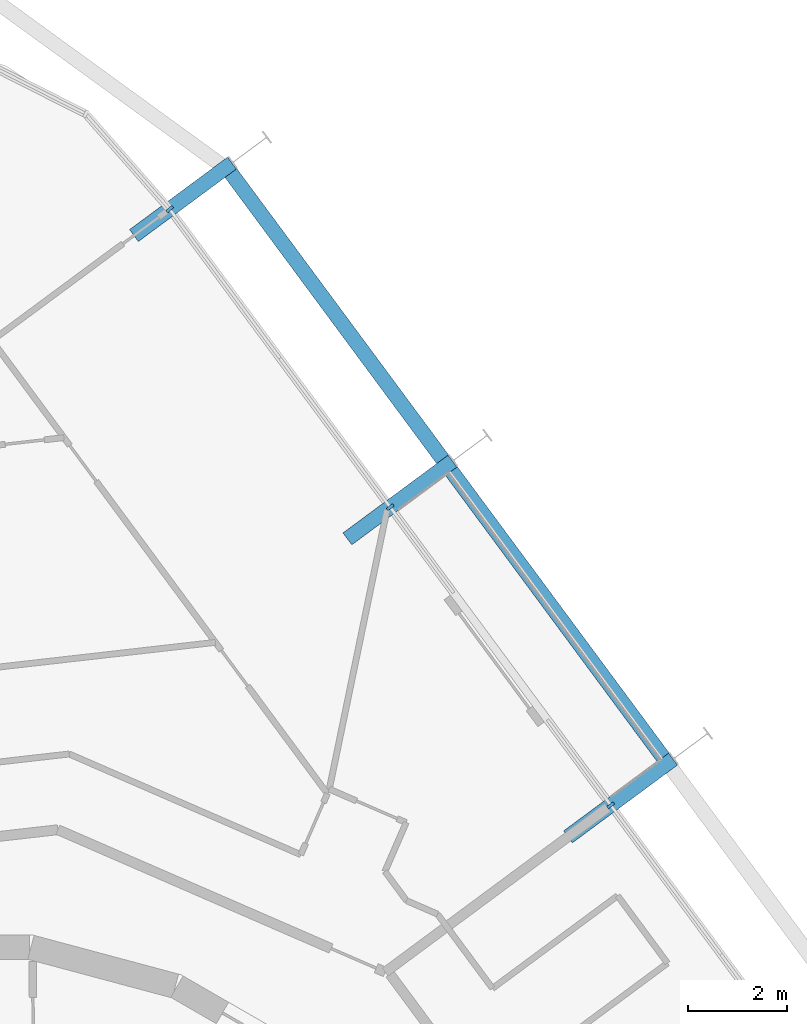
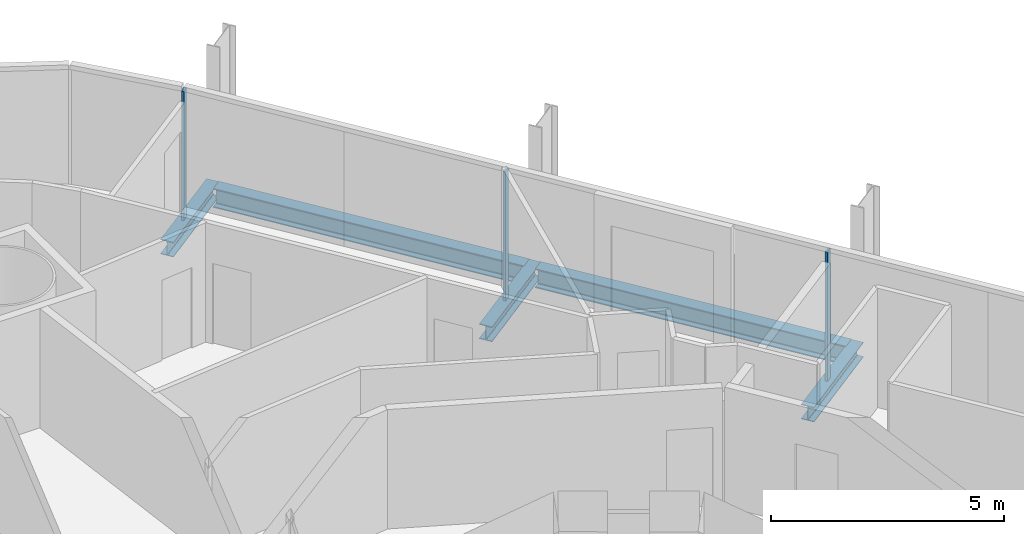
# One storey, part 11 of 23: 5 beams, 3 members, 2 elements without a shape of their own.
"""IFC4 building model written with IfcOpenShell, lengths in metres."""

import ifcopenshell
import ifcopenshell.guid

model = None  # the IFC model being written
_history = None  # IfcOwnerHistory: only IFC2X3 demands one
_inside = {}  # id of a spatial element -> (the spatial element, [elements in it])
_under = {}  # id of a project, library or spatial element -> (it, [spatial elements below it])
_declared = {}  # id of a project -> (the project, [libraries it declares])
_typed = {}  # id of a type object -> (the type object, [elements of that type])
_made_of = {}  # id of a material, layer set ... -> (it, [elements and type objects made of it])


def new_model(schema):
    """Start an empty IFC model of exactly this schema.

    Asked for "IFC4X3", IfcOpenShell would pick the latest addendum, in which some entities
    have other attributes; the version numbers below select the first issue.
    IFC2X3 requires an IfcOwnerHistory on every rooted entity: one is made here for all.
    """
    global model, _history
    if schema == "IFC4X3":
        model = ifcopenshell.file(schema_version=(4, 3, 0, 0))
    else:
        model = ifcopenshell.file(schema=schema)
    _inside.clear()
    _under.clear()
    _declared.clear()
    _typed.clear()
    _made_of.clear()
    _history = None
    if model.schema == "IFC2X3":
        org = make("IfcOrganization", Name="unknown")
        user = make(
            "IfcPersonAndOrganization",
            ThePerson=make("IfcPerson", FamilyName="unknown"),
            TheOrganization=org,
        )
        app = make(
            "IfcApplication",
            ApplicationDeveloper=org,
            Version="unknown",
            ApplicationFullName="unknown",
            ApplicationIdentifier="unknown",
        )
        _history = make(
            "IfcOwnerHistory",
            OwningUser=user,
            OwningApplication=app,
            ChangeAction="ADDED",
            CreationDate=0,
        )
    return model


def make(cls, **values):
    """One entity of the class cls with the attributes given. An attribute that is None is left unset."""
    return model.create_entity(
        cls, **{name: value for name, value in values.items() if value is not None}
    )


def rooted(cls, **values):
    """An entity with a GlobalId (a new one), such as an element, a storey or a relation."""
    return make(cls, GlobalId=ifcopenshell.guid.new(), OwnerHistory=_history, **values)


def si_unit(unit_type, name, prefix=None):
    """IfcSIUnit, for example si_unit("LENGTHUNIT", "METRE", prefix="MILLI")."""
    return make("IfcSIUnit", UnitType=unit_type, Prefix=prefix, Name=name)


def assignment(units):
    """IfcUnitAssignment: the units of a project."""
    return None if units is None else make("IfcUnitAssignment", Units=units)


def point(xyz):
    """IfcCartesianPoint."""
    return None if xyz is None else make("IfcCartesianPoint", Coordinates=xyz)


def direction(xyz):
    """IfcDirection."""
    return None if xyz is None else make("IfcDirection", DirectionRatios=xyz)


def frame(location, z_axis=None, x_axis=None):
    """IfcAxis2Placement3D, a coordinate frame: its origin and axes. An axis left out is left unset."""
    return make(
        "IfcAxis2Placement3D",
        Location=point(location),
        Axis=direction(z_axis),
        RefDirection=direction(x_axis),
    )


def frame_2d(location, x_axis=None):
    """IfcAxis2Placement2D, a coordinate frame in the plane: its origin and x axis."""
    return make(
        "IfcAxis2Placement2D", Location=point(location), RefDirection=direction(x_axis)
    )


def origin():
    """The frame at (0, 0, 0) with its axes left unset."""
    return frame((0.0, 0.0, 0.0))


def origin_2d():
    """The frame at (0, 0) in the plane with its x axis left unset."""
    return frame_2d((0.0, 0.0))


def place(relative_to, where):
    """IfcLocalPlacement: puts the frame where relative to a parent placement (None: the world)."""
    return make(
        "IfcLocalPlacement", PlacementRelTo=relative_to, RelativePlacement=where
    )


def context(
    kind, dimensions, precision=None, world=None, true_north=None, identifier=None
):
    """IfcGeometricRepresentationContext, for example the 3D "Model" context."""
    return make(
        "IfcGeometricRepresentationContext",
        ContextIdentifier=identifier,
        ContextType=kind,
        CoordinateSpaceDimension=dimensions,
        Precision=precision,
        WorldCoordinateSystem=world,
        TrueNorth=true_north,
    )


def subcontext(parent, identifier, kind, view, scale=None):
    """IfcGeometricRepresentationSubContext, for example "Body" below "Model"."""
    return make(
        "IfcGeometricRepresentationSubContext",
        ContextIdentifier=identifier,
        ContextType=kind,
        ParentContext=parent,
        TargetScale=scale,
        TargetView=view,
    )


def project(units=None, contexts=None):
    """IfcProject with its units and contexts."""
    return rooted(
        "IfcProject",
        Name="project",
        RepresentationContexts=contexts,
        UnitsInContext=assignment(units),
    )


def spatial(cls, under=None, at=None, **own):
    """A site, building, storey or space (cls), placed at a placement, below another one or the project."""
    s = rooted(cls, ObjectPlacement=at, **own)
    if under is not None:
        _under.setdefault(under.id(), (under, []))[1].append(s)
    return s


def profile(cls, at=None, kind="AREA", **sizes):
    """A parametric profile (cls). Its sizes go by their IFC names, for example OverallWidth=200.0."""
    return make(cls, ProfileType=kind, Position=at, **sizes)


def rectangle(**sizes):
    """IfcRectangleProfileDef."""
    return profile("IfcRectangleProfileDef", **sizes)


def i_section(**sizes):
    """IfcIShapeProfileDef."""
    return profile("IfcIShapeProfileDef", **sizes)


def extrude(swept, where, along, depth):
    """IfcExtrudedAreaSolid: the profile swept, set in the frame where, extruded along a direction by depth."""
    return make(
        "IfcExtrudedAreaSolid",
        SweptArea=swept,
        Position=where,
        ExtrudedDirection=direction(along),
        Depth=depth,
    )


def shape(context_of_items, identifier, shape_type, items):
    """IfcShapeRepresentation: the items that make up one representation, for example the "Body"."""
    return make(
        "IfcShapeRepresentation",
        ContextOfItems=context_of_items,
        RepresentationIdentifier=identifier,
        RepresentationType=shape_type,
        Items=items,
    )


def material(Name=None, Category=None):
    """IfcMaterial."""
    return make("IfcMaterial", Name=Name, Category=Category)


def layer(
    of_material, thickness, ventilated=None, Name=None, Category=None, Priority=None
):
    """IfcMaterialLayer: one layer of a wall or slab, of a material (None: an air gap)."""
    return make(
        "IfcMaterialLayer",
        Material=of_material,
        LayerThickness=thickness,
        IsVentilated=ventilated,
        Name=Name,
        Category=Category,
        Priority=Priority,
    )


def layer_set(layers, Name=None):
    """IfcMaterialLayerSet."""
    return make("IfcMaterialLayerSet", MaterialLayers=layers, LayerSetName=Name)


def material_profile(
    of_material, cross_section, Name=None, Category=None, Priority=None
):
    """IfcMaterialProfile: a cross section and its material."""
    return make(
        "IfcMaterialProfile",
        Name=Name,
        Material=of_material,
        Profile=cross_section,
        Priority=Priority,
        Category=Category,
    )


def profile_set(profiles, Name=None, composite=None):
    """IfcMaterialProfileSet."""
    return make(
        "IfcMaterialProfileSet",
        Name=Name,
        MaterialProfiles=profiles,
        CompositeProfile=composite,
    )


def made_of(thing, what):
    """Note that an element or type object is made of a material, layer set ...; save() writes the relation."""
    if what is not None:
        _made_of.setdefault(what.id(), (what, []))[1].append(thing)
    return thing


def type_object(cls, material=None, **own):
    """A type object (cls), such as IfcWallType, which elements share."""
    return made_of(rooted(cls, **own), material)


def element(
    cls,
    number,
    at=None,
    inside=None,
    cuts=None,
    type_object=None,
    material=None,
    context=None,
    identifier="Body",
    shape_type=None,
    held_by="IfcProductDefinitionShape",
    body=None,
    shapes=None,
    **own,
):
    """One element of the class cls, such as IfcWall. Its Tag is "e" and its number.

    at: its placement. inside: the storey or other place that contains it. cuts: it is an
    opening in that element (IfcRelVoidsElement). A single representation is given by context,
    identifier, shape_type and body (its items); several are given by shapes. held_by: the class
    of the entity that holds the representations. save() writes the other relations.
    """
    e = rooted(cls, Tag="e%d" % number, ObjectPlacement=at, **own)
    if body is not None:
        shapes = [shape(context, identifier, shape_type, body)]
    if shapes is not None:
        e.Representation = make(held_by, Representations=shapes)
    if inside is not None:
        _inside.setdefault(inside.id(), (inside, []))[1].append(e)
    if cuts is not None:
        rooted(
            "IfcRelVoidsElement", RelatingBuildingElement=cuts, RelatedOpeningElement=e
        )
    if type_object is not None:
        _typed.setdefault(type_object.id(), (type_object, []))[1].append(e)
    return made_of(e, material)


def aggregate(whole, parts):
    """IfcRelAggregates: a whole, such as a stair, and the parts it consists of."""
    return rooted("IfcRelAggregates", RelatingObject=whole, RelatedObjects=parts)


def save(model, path):
    """Write the relations noted so far, then the file.

    IfcRelAggregates (storeys below a building ...), IfcRelContainedInSpatialStructure (elements
    in a storey), IfcRelDefinesByType, IfcRelAssociatesMaterial and IfcRelDeclares: one each for
    every whole, place, type object, material and project.
    """
    for whole, parts in _under.values():
        aggregate(whole, parts)
    for where, things in _inside.values():
        rooted(
            "IfcRelContainedInSpatialStructure",
            RelatedElements=things,
            RelatingStructure=where,
        )
    for kind, things in _typed.values():
        rooted("IfcRelDefinesByType", RelatedObjects=things, RelatingType=kind)
    for what, things in _made_of.values():
        rooted("IfcRelAssociatesMaterial", RelatedObjects=things, RelatingMaterial=what)
    for by, libraries in _declared.values():
        rooted("IfcRelDeclares", RelatingContext=by, RelatedDefinitions=libraries)
    model.write(path)


model = new_model("IFC4")

# Units and contexts
model_context = context("Model", 3, precision=1e-05, world=origin(), true_north=direction((0.0, 1.0)))
body_context = subcontext(model_context, "Body", "Model", "MODEL_VIEW")
ifc_project = project(units=[si_unit("LENGTHUNIT", "METRE"), si_unit("AREAUNIT", "SQUARE_METRE"), si_unit("VOLUMEUNIT", "CUBIC_METRE"), si_unit("PLANEANGLEUNIT", "RADIAN"), si_unit("MASSUNIT", "GRAM", prefix="KILO")], contexts=[model_context])

# Site, building, storey
site_placement = place(None, origin())
site = spatial("IfcSite", under=ifc_project, at=site_placement, CompositionType="ELEMENT")
building_placement = place(site_placement, origin())
building = spatial("IfcBuilding", under=site, at=building_placement, Name="Spindle Arch Residences", CompositionType="ELEMENT")
storey_placement = place(building_placement, frame((0.0, 0.0, 83.699951171875)))
storey = spatial("IfcBuildingStorey", under=building, at=storey_placement, Name="L19", CompositionType="ELEMENT", Elevation=83.699951171875)

# Curtain wall, members
ifc_material_1 = material(Name="Aluminium bronze unitised frame with tinted glass", Category="aluminium")
ifc_layer_1 = layer(ifc_material_1, 0.159912109375)
ifc_layer_set_1 = layer_set([ifc_layer_1], Name="CW-C typical residential unitised wall")
curtain_wall_type_1 = type_object("IfcCurtainWallType", Name="CW-C typical residential unitised wall", PredefinedType="NOTDEFINED", material=ifc_layer_set_1)
curtain_wall_1_placement = place(storey_placement, origin())
curtain_wall_1 = element("IfcCurtainWall", 1, at=curtain_wall_1_placement, inside=storey, type_object=curtain_wall_type_1, Name="CW-C L19 run 2", PredefinedType="NOTDEFINED")
ifc_material_2 = material(Name="Aluminium bronze anodised mullion", Category="aluminium")
ifc_material_profile_1 = material_profile(ifc_material_2, rectangle(XDim=0.159912109375, YDim=0.06005859375, at=origin_2d()), Name="MU 60x160")
ifc_profile_set_1 = profile_set([ifc_material_profile_1], Name="Aluminium bronze anodised mullion")
member_type = type_object("IfcMemberType", Name="Bronze mullion 60x160", PredefinedType="MULLION", material=ifc_profile_set_1)
member_1_placement = place(storey_placement, frame((13.308349609375, 14.5244140625, -0.3798828125), z_axis=(0.0, 0.0, 1.0), x_axis=(-0.803856860617, -0.594822786751, 0.0)))
member_1 = element("IfcMember", 2, at=member_1_placement, type_object=member_type, Name="CW-C mullion 08", PredefinedType="MULLION", context=body_context, shape_type="SweptSolid", body=[
    extrude(rectangle(XDim=0.159912109375, YDim=0.06005859375, at=origin_2d()), origin(), (0.0, 0.0, 1.0), 3.3798828125),
])
member_2_placement = place(storey_placement, frame((8.8359375, 20.568603515625, -0.3798828125), z_axis=(0.0, 0.0, 1.0), x_axis=(-0.803856860617, -0.594822786751, 0.0)))
member_2 = element("IfcMember", 3, at=member_2_placement, type_object=member_type, Name="CW-C mullion 09", PredefinedType="MULLION", context=body_context, shape_type="SweptSolid", body=[
    extrude(rectangle(XDim=0.159912109375, YDim=0.06005859375, at=origin_2d()), origin(), (0.0, 0.0, 1.0), 3.3798828125),
])
aggregate(curtain_wall_1, [member_1, member_2])

# Curtain wall, member
ifc_material_3 = material(Name="Aluminium bronze unitised frame with tinted glass", Category="aluminium")
ifc_layer_2 = layer(ifc_material_3, 0.159912109375)
ifc_layer_set_2 = layer_set([ifc_layer_2], Name="CW-D corner wall on the fillet arcs")
curtain_wall_type_2 = type_object("IfcCurtainWallType", Name="CW-D corner wall on the fillet arcs", PredefinedType="NOTDEFINED", material=ifc_layer_set_2)
curtain_wall_2_placement = place(storey_placement, origin())
curtain_wall_2 = element("IfcCurtainWall", 4, at=curtain_wall_2_placement, inside=storey, type_object=curtain_wall_type_2, Name="CW-D L19 run 3", PredefinedType="NOTDEFINED")
member_3_placement = place(storey_placement, frame((4.36376953125, 26.612548828125, -0.3798828125), z_axis=(0.0, 0.0, 1.0), x_axis=(-0.750646632877, -0.660703891733, 0.0)))
member_3 = element("IfcMember", 5, at=member_3_placement, type_object=member_type, Name="CW-D mullion 00", PredefinedType="MULLION", context=body_context, shape_type="SweptSolid", body=[
    extrude(rectangle(XDim=0.159912109375, YDim=0.06005859375, at=origin_2d()), origin(), (0.0, 0.0, 1.0), 3.3798828125),
])
aggregate(curtain_wall_2, [member_3])

# Beams
ifc_material_4 = material(Name="Steel S460ML, intumescent coating R 120", Category="steel")
ifc_material_profile_2 = material_profile(ifc_material_4, i_section(OverallWidth=0.300048828125, OverallDepth=0.5, WebThickness=0.014404296875, FlangeThickness=0.028076171875, FilletRadius=0.027099609375, at=origin_2d()), Name="HEB 500")
ifc_profile_set_2 = profile_set([ifc_material_profile_2], Name="Steel S460ML, intumescent coating R 120")
beam_type_1 = type_object("IfcBeamType", Name="Exoskeleton edge beam HEB 500", PredefinedType="BEAM", material=ifc_profile_set_2)
beam_1_placement = place(storey_placement, frame((14.383056640625, 15.481201171875, -0.6298828125), z_axis=(-0.594826923516, 0.803853799556, 0.0), x_axis=(-0.803853799556, -0.594826923516, 0.0)))
element("IfcBeam", 6, at=beam_1_placement, inside=storey, type_object=beam_type_1, Name="Exoskeleton edge beam 9", PredefinedType="BEAM", context=body_context, shape_type="SweptSolid", body=[
    extrude(i_section(OverallWidth=0.300048828125, OverallDepth=0.5, WebThickness=0.014404296875, FlangeThickness=0.028076171875, FilletRadius=0.027099609375, at=origin_2d()), origin(), (0.0, 0.0, 1.0), 7.259033203125),
])
beam_2_placement = place(storey_placement, frame((9.91064453125, 21.525390625, -0.6298828125), z_axis=(-0.594821272041, 0.803857981441, 0.0), x_axis=(-0.803857981441, -0.594821272041, 0.0)))
element("IfcBeam", 7, at=beam_2_placement, inside=storey, type_object=beam_type_1, Name="Exoskeleton edge beam 10", PredefinedType="BEAM", context=body_context, shape_type="SweptSolid", body=[
    extrude(i_section(OverallWidth=0.300048828125, OverallDepth=0.5, WebThickness=0.014404296875, FlangeThickness=0.028076171875, FilletRadius=0.027099609375, at=origin_2d()), origin(), (0.0, 0.0, 1.0), 7.2587890625),
])
ifc_material_5 = material(Name="Steel S460ML, intumescent coating R 120", Category="steel")
ifc_material_profile_3 = material_profile(ifc_material_5, i_section(OverallWidth=0.300048828125, OverallDepth=0.389892578125, WebThickness=0.010986328125, FlangeThickness=0.01904296875, FilletRadius=0.027099609375, at=origin_2d()), Name="HEA 400")
ifc_profile_set_3 = profile_set([ifc_material_profile_3], Name="Steel S460ML, intumescent coating R 120")
beam_type_2 = type_object("IfcBeamType", Name="Floor outrigger HEA 400", PredefinedType="BEAM", material=ifc_profile_set_3)
for number, where, z_axis, x_axis, name in (
    (8, (14.570556640625, 15.458251953125, -0.574951171875), (-0.803896519326, -0.594769187345, 0.0), (0.594769187345, -0.803896519326, 0.0), "Floor outrigger 9"),
    (9, (10.09814453125, 21.502197265625, -0.574951171875), (-0.803896519326, -0.594769187345, 0.0), (0.594769187345, -0.803896519326, 0.0), "Floor outrigger 10"),
):
    element("IfcBeam", number, at=place(storey_placement, frame(where, z_axis=z_axis, x_axis=x_axis)), inside=storey, type_object=beam_type_2, Name=name, PredefinedType="BEAM", context=body_context, shape_type="SweptSolid", body=[
        extrude(i_section(OverallWidth=0.300048828125, OverallDepth=0.389892578125, WebThickness=0.010986328125, FlangeThickness=0.01904296875, FilletRadius=0.027099609375, at=origin_2d()), origin(), (0.0, 0.0, 1.0), 2.650146484375),
    ])
beam_3_placement = place(storey_placement, frame((5.625732421875, 27.54638671875, -0.574951171875), z_axis=(-0.80387213449, -0.594802144743, 0.0), x_axis=(0.594802144743, -0.80387213449, 0.0)))
element("IfcBeam", 10, at=beam_3_placement, inside=storey, type_object=beam_type_2, Name="Floor outrigger 11", PredefinedType="BEAM", context=body_context, shape_type="SweptSolid", body=[
    extrude(i_section(OverallWidth=0.300048828125, OverallDepth=0.389892578125, WebThickness=0.010986328125, FlangeThickness=0.01904296875, FilletRadius=0.027099609375, at=origin_2d()), origin(), (0.0, 0.0, 1.0), 2.470947265625),
])

save(model, "model.ifc")
